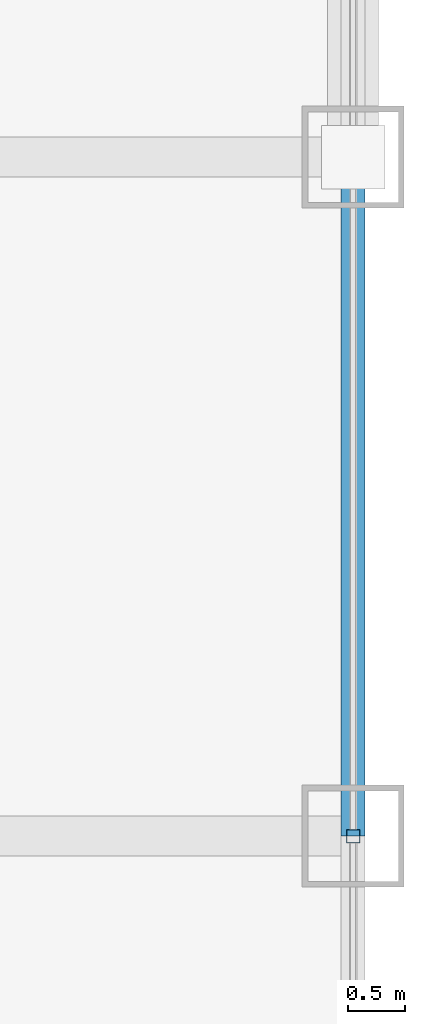
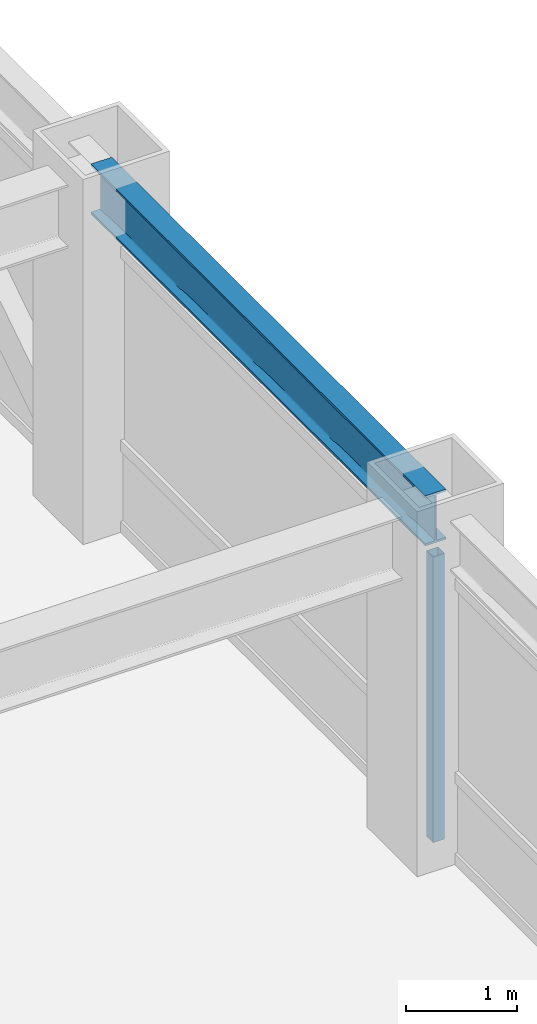
# One storey, part 10 of 22: 1 beam, 1 member, 1 element without a shape of its own.
"""IFC4 building model written with IfcOpenShell, lengths in metres."""

from ifc_helpers import new_model, si_unit, direction, frame, origin, origin_2d, place, context, subcontext, project, spatial, hollow_rectangle, i_section, extrude, source, transform, mapped, material, material_profile, profile_set, type_object, element, aggregate, save


model = new_model("IFC4")

# Units and contexts
model_context = context("Model", 3, precision=1e-05, world=origin(), true_north=direction((0.0, 1.0)))
body_context = subcontext(model_context, "Body", "Model", "MODEL_VIEW")
ifc_project = project(units=[si_unit("LENGTHUNIT", "METRE"), si_unit("AREAUNIT", "SQUARE_METRE"), si_unit("VOLUMEUNIT", "CUBIC_METRE"), si_unit("PLANEANGLEUNIT", "RADIAN"), si_unit("MASSUNIT", "GRAM", prefix="KILO")], contexts=[model_context])

# Site, building, storey
site_placement = place(None, origin())
site = spatial("IfcSite", under=ifc_project, at=site_placement, CompositionType="ELEMENT")
building_placement = place(site_placement, origin())
building = spatial("IfcBuilding", under=site, at=building_placement, Name="Khorayat Bourse Tower", CompositionType="ELEMENT")
storey_placement = place(building_placement, frame((0.0, 0.0, 297.5)))
storey = spatial("IfcBuildingStorey", under=building, at=storey_placement, Name="L70", CompositionType="ELEMENT", Elevation=297.5)

# Beam
ifc_material_1 = material(Name="Steel ASTM A992 Grade 50", Category="steel")
ifc_material_profile_1 = material_profile(ifc_material_1, i_section(OverallWidth=0.214111328125, OverallDepth=0.549072265625, WebThickness=0.0146484375, FlangeThickness=0.023681640625, FilletRadius=0.013916015625, at=origin_2d()), Name="W530X138")
ifc_profile_set_1 = profile_set([ifc_material_profile_1], Name="Steel ASTM A992 Grade 50")
beam_type = type_object("IfcBeamType", Name="BM-SPAN-530", PredefinedType="SPANDREL", material=ifc_profile_set_1)
shared_shape_1 = source(origin(), body_context, "Body", "SweptSolid", [
    extrude(i_section(OverallWidth=0.214111328125, OverallDepth=0.549072265625, WebThickness=0.0146484375, FlangeThickness=0.023681640625, FilletRadius=0.013916015625, at=origin_2d()), origin(), (0.0, 0.0, 1.0), 6.0),
])
beam_placement = place(storey_placement, frame((28.0, 0.0, 3.505615234375), z_axis=(0.0, 1.0, 0.0), x_axis=(-1.0, 0.0, 0.0)))
element("IfcBeam", 1, at=beam_placement, inside=storey, type_object=beam_type, Name="L70 BM-SPAN-530 BM-L70-SPN-038", PredefinedType="SPANDREL", context=body_context, shape_type="MappedRepresentation", body=[
    mapped(shared_shape_1, transform((0.0, 0.0, 0.0), scale=1.0)),
])

# Curtain wall, member
ifc_material_2 = material(Name="Aluminium EN AW-6063 T6", Category="aluminium")
curtain_wall_type = type_object("IfcCurtainWallType", Name="CW-SYS-04", PredefinedType="NOTDEFINED", material=ifc_material_2)
curtain_wall_placement = place(storey_placement, origin())
curtain_wall = element("IfcCurtainWall", 2, at=curtain_wall_placement, inside=storey, type_object=curtain_wall_type, Name="L70 Curtain Wall CW-L70-E1", PredefinedType="NOTDEFINED")
ifc_material_profile_2 = material_profile(ifc_material_2, hollow_rectangle(XDim=0.1201171875, YDim=0.1201171875, WallThickness=0.0048828125, at=origin_2d()), Name="ALU 120x120x5")
ifc_profile_set_2 = profile_set([ifc_material_profile_2], Name="Aluminium EN AW-6063 T6")
member_type = type_object("IfcMemberType", Name="CWM-VERT-120", PredefinedType="MULLION", material=ifc_profile_set_2)
shared_shape_2 = source(origin(), body_context, "Body", "SweptSolid", [
    extrude(hollow_rectangle(XDim=0.1201171875, YDim=0.1201171875, WallThickness=0.0048828125, at=origin_2d()), origin(), (0.0, 0.0, 1.0), 3.1298828125),
])
member_placement = place(storey_placement, frame((28.0, 0.0, 0.0), z_axis=(0.0, 0.0, 1.0), x_axis=(-1.0, 0.0, 0.0)))
member = element("IfcMember", 3, at=member_placement, type_object=member_type, Name="CW-L70-E1 Vertical Mullion 2", PredefinedType="MULLION", context=body_context, shape_type="MappedRepresentation", body=[
    mapped(shared_shape_2, transform((0.0, 0.0, 0.0), scale=1.0)),
])
aggregate(curtain_wall, [member])

save(model, "model.ifc")
